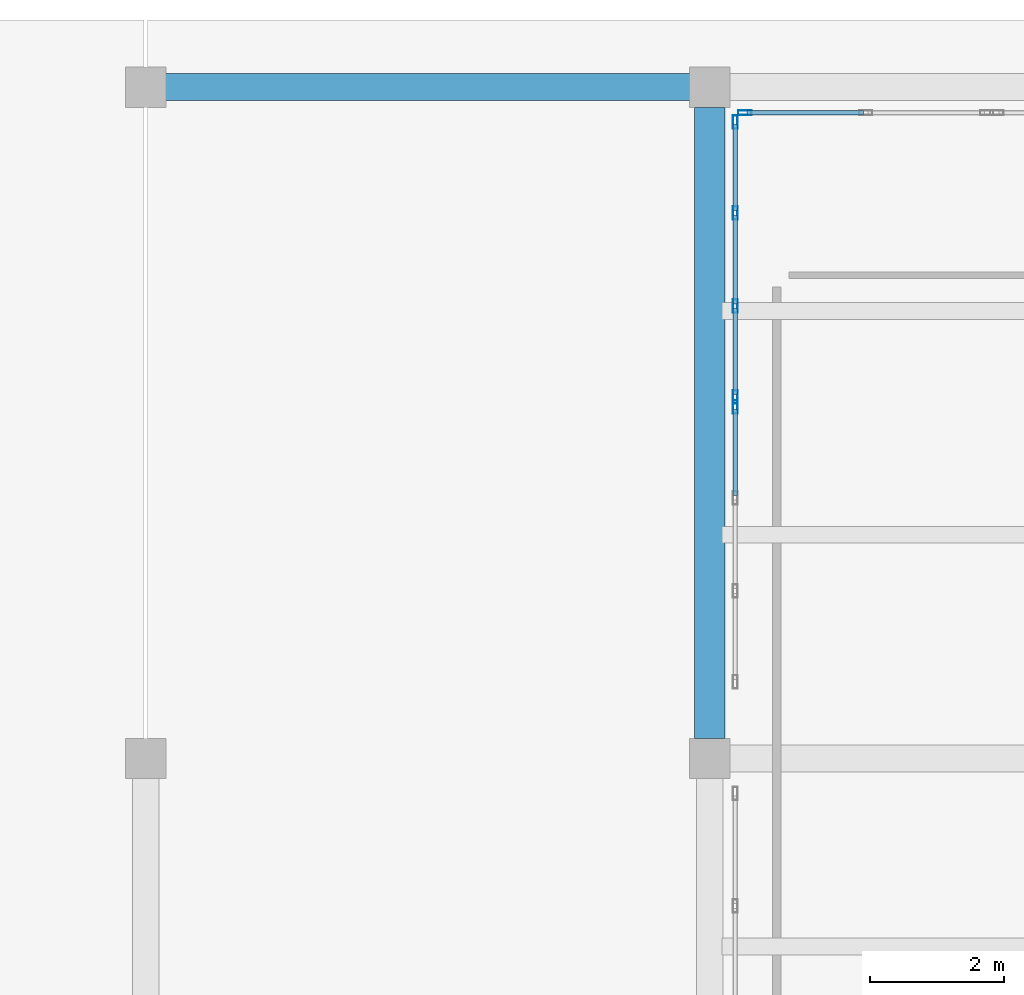
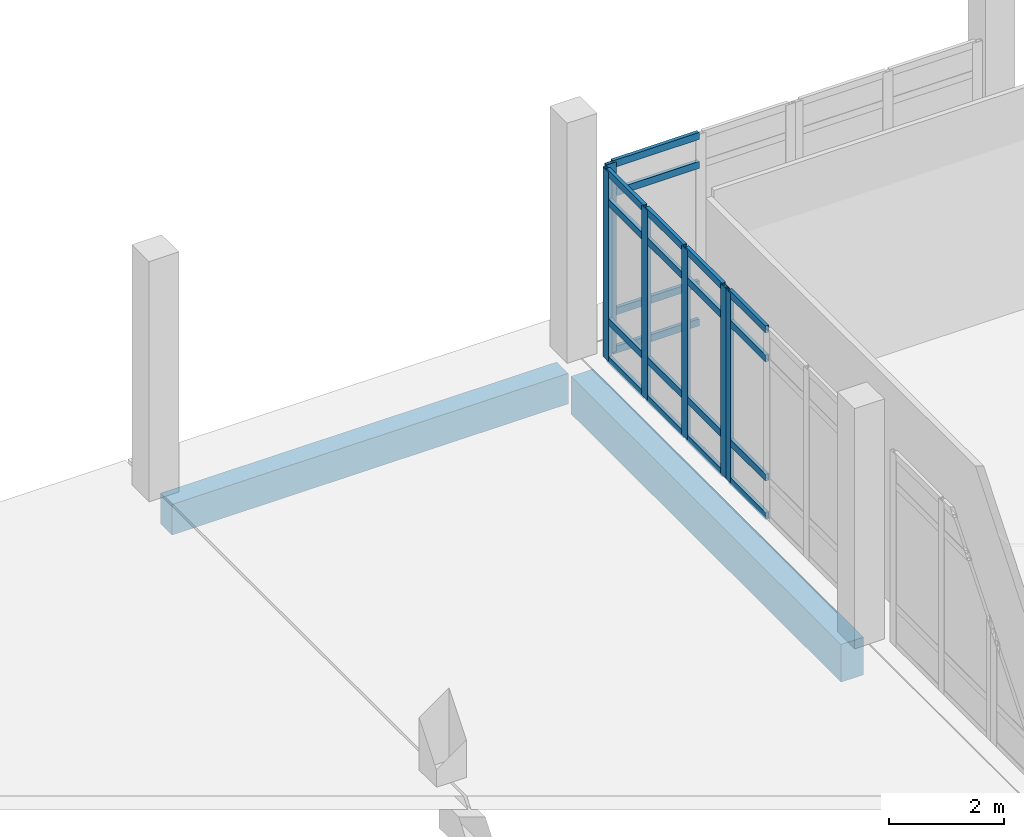
# One storey, part 30 of 64: 26 members, 2 beams, 3 elements without a shape of their own.
"""IFC4 building model written with IfcOpenShell, lengths in metres."""

from ifc_helpers import new_model, si_unit, derived_unit, direction, frame, origin, origin_2d, place, context, subcontext, project, spatial, rectangle, hollow_rectangle, extrude, material, layer, layer_set, material_profile, profile_set, type_object, element, aggregate, save


model = new_model("IFC4")

# Units and contexts
model_context = context("Model", 3, precision=1e-05, world=origin(), true_north=direction((0.0, 1.0)))
body_context = subcontext(model_context, "Body", "Model", "MODEL_VIEW")
ifc_project = project(units=[si_unit("LENGTHUNIT", "METRE"), si_unit("AREAUNIT", "SQUARE_METRE"), si_unit("VOLUMEUNIT", "CUBIC_METRE"), si_unit("PLANEANGLEUNIT", "RADIAN"), si_unit("MASSUNIT", "GRAM", prefix="KILO"), derived_unit("THERMALTRANSMITTANCEUNIT", [(si_unit("POWERUNIT", "WATT"), 1), (si_unit("LENGTHUNIT", "METRE"), -2), (si_unit("THERMODYNAMICTEMPERATUREUNIT", "KELVIN"), -1)])], contexts=[model_context])

# Site, building, storey
site_placement = place(None, origin())
site = spatial("IfcSite", under=ifc_project, at=site_placement, CompositionType="ELEMENT")
building_placement = place(site_placement, origin())
building = spatial("IfcBuilding", under=site, at=building_placement, Name="Elbkamm Science Centre", CompositionType="ELEMENT")
storey_placement = place(building_placement, origin())
storey = spatial("IfcBuildingStorey", under=building, at=storey_placement, Name="L00", CompositionType="ELEMENT", Elevation=0.0)

# Beams
ifc_material_1 = material(Name="Concrete C40/50", Category="concrete")
ifc_material_profile_1 = material_profile(ifc_material_1, rectangle(XDim=0.39990234375, YDim=0.64990234375, at=origin_2d()), Name="RC 400x650")
ifc_profile_set_1 = profile_set([ifc_material_profile_1], Name="Concrete C40/50")
beam_type_1 = type_object("IfcBeamType", Name="BM-RC-400x650", PredefinedType="BEAM", material=ifc_profile_set_1)
beam_1_placement = place(storey_placement, frame((126.219970703125, 110.800048828125, -0.625), z_axis=(1.0, 0.0, 0.0), x_axis=(0.0, 1.0, 0.0)))
element("IfcBeam", 1, at=beam_1_placement, inside=storey, type_object=beam_type_1, Name="L00 Perimeter Ring Tie Girder 017", PredefinedType="BEAM", context=body_context, shape_type="SweptSolid", body=[
    extrude(rectangle(XDim=0.39990234375, YDim=0.64990234375, at=origin_2d()), origin(), (0.0, 0.0, 1.0), 7.9599609375),
])
ifc_material_profile_2 = material_profile(ifc_material_1, rectangle(XDim=0.449951171875, YDim=0.800048828125, at=origin_2d()), Name="RC 450x800")
ifc_profile_set_2 = profile_set([ifc_material_profile_2], Name="Concrete C40/50")
beam_type_2 = type_object("IfcBeamType", Name="BM-RC-450x800", PredefinedType="BEAM", material=ifc_profile_set_2)
beam_2_placement = place(storey_placement, frame((134.39990234375, 101.10009765625, -0.699951171875), z_axis=(0.0, 1.0, 0.0), x_axis=(-1.0, 0.0, 0.0)))
element("IfcBeam", 2, at=beam_2_placement, inside=storey, type_object=beam_type_2, Name="L00 Primary Y-Girder 061", PredefinedType="BEAM", context=body_context, shape_type="SweptSolid", body=[
    extrude(rectangle(XDim=0.449951171875, YDim=0.800048828125, at=origin_2d()), origin(), (0.0, 0.0, 1.0), 9.39990234375),
])

# Curtain wall, member
ifc_material_2 = material(Name="Powder-coated aluminium and triple low-E glazing", Category="aluminium")
ifc_layer_1 = layer(ifc_material_2, 0.159912109375)
ifc_layer_set_1 = layer_set([ifc_layer_1], Name="Powder-coated aluminium and triple low-E glazing")
curtain_wall_type_1 = type_object("IfcCurtainWallType", Name="CW-UNIT-4160x4040", PredefinedType="USERDEFINED", material=ifc_layer_set_1)
curtain_wall_1_placement = place(storey_placement, origin())
curtain_wall_1 = element("IfcCurtainWall", 3, at=curtain_wall_1_placement, inside=storey, type_object=curtain_wall_type_1, Name="L00 Unitised Curtain Wall 106", ObjectType="UNITISED CURTAIN WALL", PredefinedType="USERDEFINED")
ifc_material_3 = material(Name="Powder-coated aluminium EN AW-6060", Category="aluminium")
ifc_material_profile_3 = material_profile(ifc_material_3, hollow_rectangle(XDim=0.070068359375, YDim=0.199951171875, WallThickness=0.00439453125, at=origin_2d()), Name="ALU M70x200")
ifc_profile_set_3 = profile_set([ifc_material_profile_3], Name="Powder-coated aluminium EN AW-6060")
member_type_1 = type_object("IfcMemberType", Name="CW-MUL-70x200", PredefinedType="MULLION", material=ifc_profile_set_3)
member_1_placement = place(storey_placement, frame((134.780029296875, 106.035888671875, 0.0), z_axis=(0.0, 0.0, 1.0), x_axis=(-1.0, 0.0, 0.0)))
member_1 = element("IfcMember", 4, at=member_1_placement, type_object=member_type_1, Name="CW-053 mullion 4", PredefinedType="MULLION", context=body_context, shape_type="SweptSolid", body=[
    extrude(hollow_rectangle(XDim=0.070068359375, YDim=0.199951171875, WallThickness=0.00439453125, at=origin_2d()), origin(), (0.0, 0.0, 1.0), 4.030029296875),
])

# Curtain wall, members
curtain_wall_2_placement = place(storey_placement, origin())
curtain_wall_2 = element("IfcCurtainWall", 5, at=curtain_wall_2_placement, inside=storey, type_object=curtain_wall_type_1, Name="L00 Unitised Curtain Wall 107", ObjectType="UNITISED CURTAIN WALL", PredefinedType="USERDEFINED")
member_2_placement = place(storey_placement, frame((134.780029296875, 106.18603515625, 0.0), z_axis=(0.0, 0.0, 1.0), x_axis=(-1.0, 0.0, 0.0)))
member_2 = element("IfcMember", 6, at=member_2_placement, type_object=member_type_1, Name="CW-053 mullion 1", PredefinedType="MULLION", context=body_context, shape_type="SweptSolid", body=[
    extrude(hollow_rectangle(XDim=0.070068359375, YDim=0.199951171875, WallThickness=0.00439453125, at=origin_2d()), origin(), (0.0, 0.0, 1.0), 4.030029296875),
])
member_3_placement = place(storey_placement, frame((134.780029296875, 107.53857421875, 0.0), z_axis=(0.0, 0.0, 1.0), x_axis=(-1.0, 0.0, 0.0)))
member_3 = element("IfcMember", 7, at=member_3_placement, type_object=member_type_1, Name="CW-053 mullion 2", PredefinedType="MULLION", context=body_context, shape_type="SweptSolid", body=[
    extrude(hollow_rectangle(XDim=0.070068359375, YDim=0.199951171875, WallThickness=0.00439453125, at=origin_2d()), origin(), (0.0, 0.0, 1.0), 4.030029296875),
])
member_4_placement = place(storey_placement, frame((134.780029296875, 108.926025390625, 0.0), z_axis=(0.0, 0.0, 1.0), x_axis=(-1.0, 0.0, 0.0)))
member_4 = element("IfcMember", 8, at=member_4_placement, type_object=member_type_1, Name="CW-053 mullion 3", PredefinedType="MULLION", context=body_context, shape_type="SweptSolid", body=[
    extrude(hollow_rectangle(XDim=0.070068359375, YDim=0.199951171875, WallThickness=0.00439453125, at=origin_2d()), origin(), (0.0, 0.0, 1.0), 4.030029296875),
])
member_5_placement = place(storey_placement, frame((134.780029296875, 110.27880859375, 0.0), z_axis=(0.0, 0.0, 1.0), x_axis=(-1.0, 0.0, 0.0)))
member_5 = element("IfcMember", 9, at=member_5_placement, type_object=member_type_1, Name="CW-053 mullion 4", PredefinedType="MULLION", context=body_context, shape_type="SweptSolid", body=[
    extrude(hollow_rectangle(XDim=0.070068359375, YDim=0.199951171875, WallThickness=0.00439453125, at=origin_2d()), origin(), (0.0, 0.0, 1.0), 4.030029296875),
])

# Curtain wall, member
ifc_layer_2 = layer(ifc_material_2, 0.159912109375)
ifc_layer_set_2 = layer_set([ifc_layer_2], Name="Powder-coated aluminium and triple low-E glazing")
curtain_wall_type_2 = type_object("IfcCurtainWallType", Name="CW-UNIT-3680x4040", PredefinedType="USERDEFINED", material=ifc_layer_set_2)
curtain_wall_3_placement = place(storey_placement, origin())
curtain_wall_3 = element("IfcCurtainWall", 10, at=curtain_wall_3_placement, inside=storey, type_object=curtain_wall_type_2, Name="L00 Unitised Curtain Wall 108", ObjectType="UNITISED CURTAIN WALL", PredefinedType="USERDEFINED")
member_6_placement = place(storey_placement, frame((134.92138671875, 110.419921875, 0.0), z_axis=(0.0, 0.0, 1.0), x_axis=(0.0, 1.0, 0.0)))
member_6 = element("IfcMember", 11, at=member_6_placement, type_object=member_type_1, Name="CW-054 mullion 1", PredefinedType="MULLION", context=body_context, shape_type="SweptSolid", body=[
    extrude(hollow_rectangle(XDim=0.070068359375, YDim=0.199951171875, WallThickness=0.00439453125, at=origin_2d()), origin(), (0.0, 0.0, 1.0), 4.030029296875),
])

# Member
ifc_material_profile_4 = material_profile(ifc_material_3, hollow_rectangle(XDim=0.070068359375, YDim=0.14990234375, WallThickness=0.00390625, at=origin_2d()), Name="ALU T70x150")
ifc_profile_set_4 = profile_set([ifc_material_profile_4], Name="Powder-coated aluminium EN AW-6060")
member_type_2 = type_object("IfcMemberType", Name="CW-TRN-70x150", PredefinedType="USERDEFINED", material=ifc_profile_set_4)
member_7_placement = place(storey_placement, frame((134.780029296875, 104.718505859375, 0.034912109375), z_axis=(0.0, 1.0, 0.0), x_axis=(-1.0, 0.0, 0.0)))
member_7 = element("IfcMember", 12, at=member_7_placement, type_object=member_type_2, Name="CW-053 transom 3.1", ObjectType="TRANSOM", PredefinedType="USERDEFINED", context=body_context, shape_type="SweptSolid", body=[
    extrude(hollow_rectangle(XDim=0.070068359375, YDim=0.14990234375, WallThickness=0.00390625, at=origin_2d()), origin(), (0.0, 0.0, 1.0), 1.282470703125),
])

member_8_placement = place(storey_placement, frame((134.780029296875, 104.718505859375, 0.85009765625), z_axis=(0.0, 1.0, 0.0), x_axis=(-1.0, 0.0, 0.0)))
member_8 = element("IfcMember", 13, at=member_8_placement, type_object=member_type_2, Name="CW-053 transom 3.2", ObjectType="TRANSOM", PredefinedType="USERDEFINED", context=body_context, shape_type="SweptSolid", body=[
    extrude(hollow_rectangle(XDim=0.070068359375, YDim=0.14990234375, WallThickness=0.00390625, at=origin_2d()), origin(), (0.0, 0.0, 1.0), 1.282470703125),
])

member_9_placement = place(storey_placement, frame((134.780029296875, 104.718505859375, 3.3798828125), z_axis=(0.0, 1.0, 0.0), x_axis=(-1.0, 0.0, 0.0)))
member_9 = element("IfcMember", 14, at=member_9_placement, type_object=member_type_2, Name="CW-053 transom 3.3", ObjectType="TRANSOM", PredefinedType="USERDEFINED", context=body_context, shape_type="SweptSolid", body=[
    extrude(hollow_rectangle(XDim=0.070068359375, YDim=0.14990234375, WallThickness=0.00390625, at=origin_2d()), origin(), (0.0, 0.0, 1.0), 1.282470703125),
])

member_10_placement = place(storey_placement, frame((134.780029296875, 104.718505859375, 3.9951171875), z_axis=(0.0, 1.0, 0.0), x_axis=(-1.0, 0.0, 0.0)))
member_10 = element("IfcMember", 15, at=member_10_placement, type_object=member_type_2, Name="CW-053 transom 3.4", ObjectType="TRANSOM", PredefinedType="USERDEFINED", context=body_context, shape_type="SweptSolid", body=[
    extrude(hollow_rectangle(XDim=0.070068359375, YDim=0.14990234375, WallThickness=0.00390625, at=origin_2d()), origin(), (0.0, 0.0, 1.0), 1.282470703125),
])

aggregate(curtain_wall_1, [member_1, member_7, member_8, member_9, member_10])

member_11_placement = place(storey_placement, frame((134.780029296875, 106.220947265625, 0.034912109375), z_axis=(0.0, 1.0, 0.0), x_axis=(-1.0, 0.0, 0.0)))
member_11 = element("IfcMember", 16, at=member_11_placement, type_object=member_type_2, Name="CW-053 transom 1.1", ObjectType="TRANSOM", PredefinedType="USERDEFINED", context=body_context, shape_type="SweptSolid", body=[
    extrude(hollow_rectangle(XDim=0.070068359375, YDim=0.14990234375, WallThickness=0.00390625, at=origin_2d()), origin(), (0.0, 0.0, 1.0), 1.28271484375),
])

member_12_placement = place(storey_placement, frame((134.780029296875, 106.220947265625, 0.85009765625), z_axis=(0.0, 1.0, 0.0), x_axis=(-1.0, 0.0, 0.0)))
member_12 = element("IfcMember", 17, at=member_12_placement, type_object=member_type_2, Name="CW-053 transom 1.2", ObjectType="TRANSOM", PredefinedType="USERDEFINED", context=body_context, shape_type="SweptSolid", body=[
    extrude(hollow_rectangle(XDim=0.070068359375, YDim=0.14990234375, WallThickness=0.00390625, at=origin_2d()), origin(), (0.0, 0.0, 1.0), 1.28271484375),
])

member_13_placement = place(storey_placement, frame((134.780029296875, 106.220947265625, 3.3798828125), z_axis=(0.0, 1.0, 0.0), x_axis=(-1.0, 0.0, 0.0)))
member_13 = element("IfcMember", 18, at=member_13_placement, type_object=member_type_2, Name="CW-053 transom 1.3", ObjectType="TRANSOM", PredefinedType="USERDEFINED", context=body_context, shape_type="SweptSolid", body=[
    extrude(hollow_rectangle(XDim=0.070068359375, YDim=0.14990234375, WallThickness=0.00390625, at=origin_2d()), origin(), (0.0, 0.0, 1.0), 1.28271484375),
])

member_14_placement = place(storey_placement, frame((134.780029296875, 106.220947265625, 3.9951171875), z_axis=(0.0, 1.0, 0.0), x_axis=(-1.0, 0.0, 0.0)))
member_14 = element("IfcMember", 19, at=member_14_placement, type_object=member_type_2, Name="CW-053 transom 1.4", ObjectType="TRANSOM", PredefinedType="USERDEFINED", context=body_context, shape_type="SweptSolid", body=[
    extrude(hollow_rectangle(XDim=0.070068359375, YDim=0.14990234375, WallThickness=0.00390625, at=origin_2d()), origin(), (0.0, 0.0, 1.0), 1.28271484375),
])

member_15_placement = place(storey_placement, frame((134.780029296875, 107.573486328125, 0.034912109375), z_axis=(0.0, 1.0, 0.0), x_axis=(-1.0, 0.0, 0.0)))
member_15 = element("IfcMember", 20, at=member_15_placement, type_object=member_type_2, Name="CW-053 transom 2.1", ObjectType="TRANSOM", PredefinedType="USERDEFINED", context=body_context, shape_type="SweptSolid", body=[
    extrude(hollow_rectangle(XDim=0.070068359375, YDim=0.14990234375, WallThickness=0.00390625, at=origin_2d()), origin(), (0.0, 0.0, 1.0), 1.317626953125),
])

member_16_placement = place(storey_placement, frame((134.780029296875, 107.573486328125, 0.85009765625), z_axis=(0.0, 1.0, 0.0), x_axis=(-1.0, 0.0, 0.0)))
member_16 = element("IfcMember", 21, at=member_16_placement, type_object=member_type_2, Name="CW-053 transom 2.2", ObjectType="TRANSOM", PredefinedType="USERDEFINED", context=body_context, shape_type="SweptSolid", body=[
    extrude(hollow_rectangle(XDim=0.070068359375, YDim=0.14990234375, WallThickness=0.00390625, at=origin_2d()), origin(), (0.0, 0.0, 1.0), 1.317626953125),
])

member_17_placement = place(storey_placement, frame((134.780029296875, 107.573486328125, 3.3798828125), z_axis=(0.0, 1.0, 0.0), x_axis=(-1.0, 0.0, 0.0)))
member_17 = element("IfcMember", 22, at=member_17_placement, type_object=member_type_2, Name="CW-053 transom 2.3", ObjectType="TRANSOM", PredefinedType="USERDEFINED", context=body_context, shape_type="SweptSolid", body=[
    extrude(hollow_rectangle(XDim=0.070068359375, YDim=0.14990234375, WallThickness=0.00390625, at=origin_2d()), origin(), (0.0, 0.0, 1.0), 1.317626953125),
])

member_18_placement = place(storey_placement, frame((134.780029296875, 107.573486328125, 3.9951171875), z_axis=(0.0, 1.0, 0.0), x_axis=(-1.0, 0.0, 0.0)))
member_18 = element("IfcMember", 23, at=member_18_placement, type_object=member_type_2, Name="CW-053 transom 2.4", ObjectType="TRANSOM", PredefinedType="USERDEFINED", context=body_context, shape_type="SweptSolid", body=[
    extrude(hollow_rectangle(XDim=0.070068359375, YDim=0.14990234375, WallThickness=0.00390625, at=origin_2d()), origin(), (0.0, 0.0, 1.0), 1.317626953125),
])

member_19_placement = place(storey_placement, frame((134.780029296875, 108.961181640625, 0.034912109375), z_axis=(0.0, 1.0, 0.0), x_axis=(-1.0, 0.0, 0.0)))
member_19 = element("IfcMember", 24, at=member_19_placement, type_object=member_type_2, Name="CW-053 transom 3.1", ObjectType="TRANSOM", PredefinedType="USERDEFINED", context=body_context, shape_type="SweptSolid", body=[
    extrude(hollow_rectangle(XDim=0.070068359375, YDim=0.14990234375, WallThickness=0.00390625, at=origin_2d()), origin(), (0.0, 0.0, 1.0), 1.282470703125),
])

member_20_placement = place(storey_placement, frame((134.780029296875, 108.961181640625, 0.85009765625), z_axis=(0.0, 1.0, 0.0), x_axis=(-1.0, 0.0, 0.0)))
member_20 = element("IfcMember", 25, at=member_20_placement, type_object=member_type_2, Name="CW-053 transom 3.2", ObjectType="TRANSOM", PredefinedType="USERDEFINED", context=body_context, shape_type="SweptSolid", body=[
    extrude(hollow_rectangle(XDim=0.070068359375, YDim=0.14990234375, WallThickness=0.00390625, at=origin_2d()), origin(), (0.0, 0.0, 1.0), 1.282470703125),
])

member_21_placement = place(storey_placement, frame((134.780029296875, 108.961181640625, 3.3798828125), z_axis=(0.0, 1.0, 0.0), x_axis=(-1.0, 0.0, 0.0)))
member_21 = element("IfcMember", 26, at=member_21_placement, type_object=member_type_2, Name="CW-053 transom 3.3", ObjectType="TRANSOM", PredefinedType="USERDEFINED", context=body_context, shape_type="SweptSolid", body=[
    extrude(hollow_rectangle(XDim=0.070068359375, YDim=0.14990234375, WallThickness=0.00390625, at=origin_2d()), origin(), (0.0, 0.0, 1.0), 1.282470703125),
])

member_22_placement = place(storey_placement, frame((134.780029296875, 108.961181640625, 3.9951171875), z_axis=(0.0, 1.0, 0.0), x_axis=(-1.0, 0.0, 0.0)))
member_22 = element("IfcMember", 27, at=member_22_placement, type_object=member_type_2, Name="CW-053 transom 3.4", ObjectType="TRANSOM", PredefinedType="USERDEFINED", context=body_context, shape_type="SweptSolid", body=[
    extrude(hollow_rectangle(XDim=0.070068359375, YDim=0.14990234375, WallThickness=0.00390625, at=origin_2d()), origin(), (0.0, 0.0, 1.0), 1.282470703125),
])

aggregate(curtain_wall_2, [member_2, member_3, member_4, member_5, member_11, member_12, member_13, member_14, member_15, member_16, member_17, member_18, member_19, member_20, member_21, member_22])

member_23_placement = place(storey_placement, frame((134.956298828125, 110.419921875, 0.034912109375), z_axis=(1.0, 0.0, 0.0), x_axis=(0.0, 1.0, 0.0)))
member_23 = element("IfcMember", 28, at=member_23_placement, type_object=member_type_2, Name="CW-054 transom 1.1", ObjectType="TRANSOM", PredefinedType="USERDEFINED", context=body_context, shape_type="SweptSolid", body=[
    extrude(hollow_rectangle(XDim=0.070068359375, YDim=0.14990234375, WallThickness=0.00390625, at=origin_2d()), origin(), (0.0, 0.0, 1.0), 1.73193359375),
])

member_24_placement = place(storey_placement, frame((134.956298828125, 110.419921875, 0.85009765625), z_axis=(1.0, 0.0, 0.0), x_axis=(0.0, 1.0, 0.0)))
member_24 = element("IfcMember", 29, at=member_24_placement, type_object=member_type_2, Name="CW-054 transom 1.2", ObjectType="TRANSOM", PredefinedType="USERDEFINED", context=body_context, shape_type="SweptSolid", body=[
    extrude(hollow_rectangle(XDim=0.070068359375, YDim=0.14990234375, WallThickness=0.00390625, at=origin_2d()), origin(), (0.0, 0.0, 1.0), 1.73193359375),
])

member_25_placement = place(storey_placement, frame((134.956298828125, 110.419921875, 3.3798828125), z_axis=(1.0, 0.0, 0.0), x_axis=(0.0, 1.0, 0.0)))
member_25 = element("IfcMember", 30, at=member_25_placement, type_object=member_type_2, Name="CW-054 transom 1.3", ObjectType="TRANSOM", PredefinedType="USERDEFINED", context=body_context, shape_type="SweptSolid", body=[
    extrude(hollow_rectangle(XDim=0.070068359375, YDim=0.14990234375, WallThickness=0.00390625, at=origin_2d()), origin(), (0.0, 0.0, 1.0), 1.73193359375),
])

member_26_placement = place(storey_placement, frame((134.956298828125, 110.419921875, 3.9951171875), z_axis=(1.0, 0.0, 0.0), x_axis=(0.0, 1.0, 0.0)))
member_26 = element("IfcMember", 31, at=member_26_placement, type_object=member_type_2, Name="CW-054 transom 1.4", ObjectType="TRANSOM", PredefinedType="USERDEFINED", context=body_context, shape_type="SweptSolid", body=[
    extrude(hollow_rectangle(XDim=0.070068359375, YDim=0.14990234375, WallThickness=0.00390625, at=origin_2d()), origin(), (0.0, 0.0, 1.0), 1.73193359375),
])

aggregate(curtain_wall_3, [member_6, member_23, member_24, member_25, member_26])

save(model, "model.ifc")
